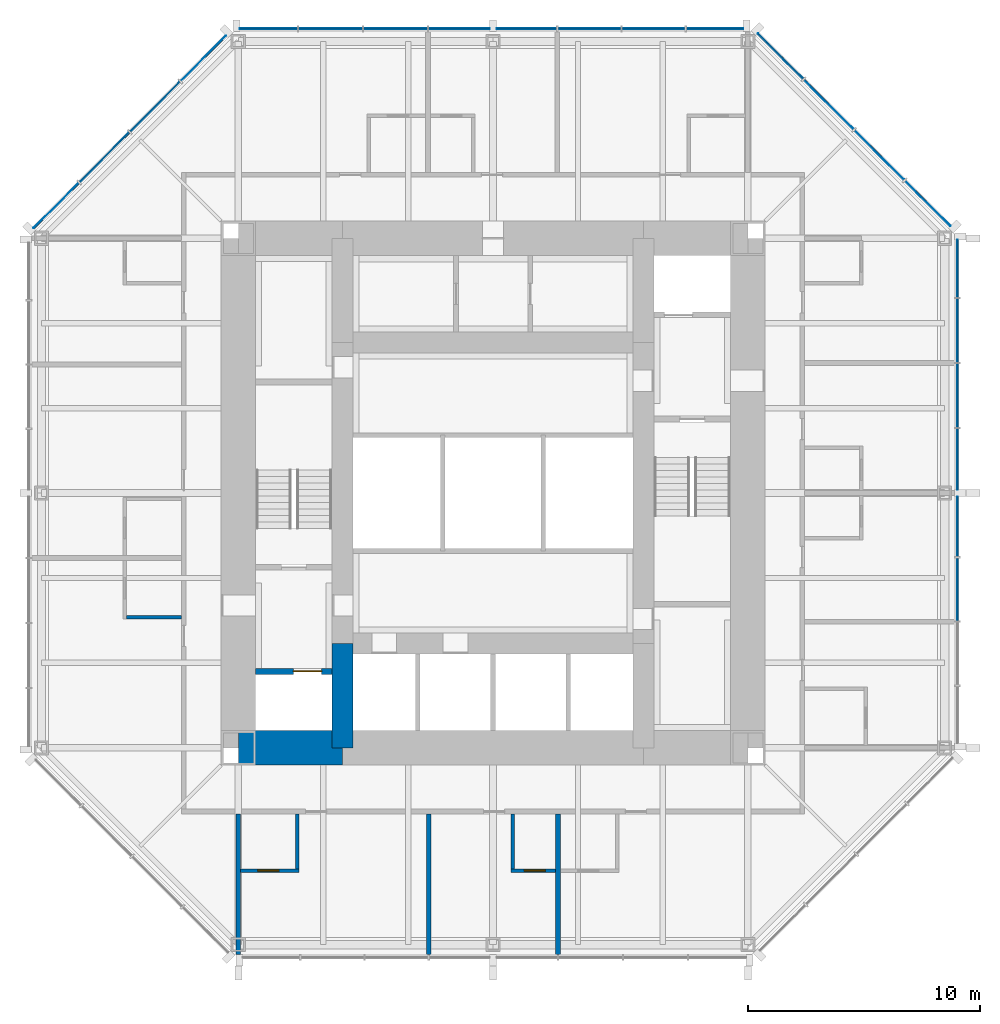
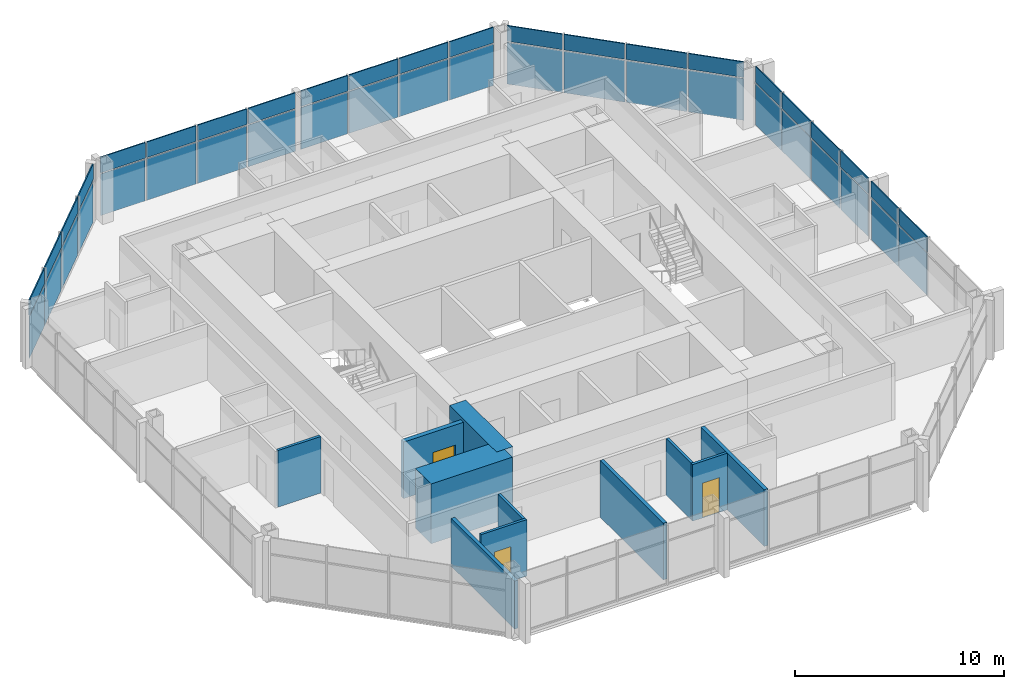
# One storey, part 7 of 11: 44 plates, 11 walls, 3 doors, 3 openings, 4 elements without a shape of their own.
"""IFC4 building model written with IfcOpenShell, lengths in metres."""

from ifc_helpers import new_model, si_unit, direction, frame, frame_2d, origin, origin_2d, place, context, subcontext, project, spatial, rectangle, extrude, material, layer, layer_set, type_object, element, fill, aggregate, save


model = new_model("IFC4")

# Units and contexts
model_context = context("Model", 3, precision=1e-05, world=origin(), true_north=direction((0.0, 1.0)))
body_context = subcontext(model_context, "Body", "Model", "MODEL_VIEW")
ifc_project = project(units=[si_unit("LENGTHUNIT", "METRE"), si_unit("AREAUNIT", "SQUARE_METRE"), si_unit("VOLUMEUNIT", "CUBIC_METRE"), si_unit("PLANEANGLEUNIT", "RADIAN"), si_unit("MASSUNIT", "GRAM", prefix="KILO")], contexts=[model_context])

# Site, building, storey
site_placement = place(None, origin())
site = spatial("IfcSite", under=ifc_project, at=site_placement, CompositionType="ELEMENT")
building_placement = place(site_placement, origin())
building = spatial("IfcBuilding", under=site, at=building_placement, Name="Trevanion Tower", CompositionType="ELEMENT")
storey_placement = place(building_placement, frame((0.0, 0.0, 218.699951171875)))
storey = spatial("IfcBuildingStorey", under=building, at=storey_placement, Name="L52", CompositionType="ELEMENT", Elevation=218.699951171875)

# Curtain wall, plates
ifc_material_1 = material(Name="Aluminium and glass", Category="aluminium")
curtain_wall_type = type_object("IfcCurtainWallType", Name="CW3 curtain wall", PredefinedType="USERDEFINED", material=ifc_material_1)
curtain_wall_1_placement = place(storey_placement, origin())
curtain_wall_1 = element("IfcCurtainWall", 1, at=curtain_wall_1_placement, inside=storey, type_object=curtain_wall_type, Name="CW3 L52 0", ObjectType="UNITISED CURTAIN WALL", PredefinedType="USERDEFINED")
ifc_material_2 = material(Name="Aluminium spandrel panel", Category="aluminium")
ifc_layer_1 = layer(ifc_material_2, 0.06005859375)
ifc_layer_set_1 = layer_set([ifc_layer_1], Name="CW3 spandrel panel")
plate_type_1 = type_object("IfcPlateType", Name="CW3 spandrel panel", PredefinedType="CURTAIN_PANEL", material=ifc_layer_set_1)
plate_1_placement = place(storey_placement, frame((20.050048828125, -4.16162109375, 2.3974609375), z_axis=(0.0, 0.0, 1.0), x_axis=(0.0, 1.0, 0.0)))
plate_1 = element("IfcPlate", 2, at=plate_1_placement, type_object=plate_type_1, Name="CW3 panel 3.2", PredefinedType="CURTAIN_PANEL", context=body_context, shape_type="SweptSolid", body=[
    extrude(rectangle(XDim=2.699462890625, YDim=0.06005859375, at=origin_2d()), origin(), (0.0, 0.0, 1.0), 0.91259765625),
])
plate_2_placement = place(storey_placement, frame((20.050048828125, -1.443603515625, 2.3974609375), z_axis=(0.0, 0.0, 1.0), x_axis=(0.0, 1.0, 0.0)))
plate_2 = element("IfcPlate", 3, at=plate_2_placement, type_object=plate_type_1, Name="CW3 panel 4.2", PredefinedType="CURTAIN_PANEL", context=body_context, shape_type="SweptSolid", body=[
    extrude(rectangle(XDim=2.5869140625, YDim=0.06005859375, at=origin_2d()), origin(), (0.0, 0.0, 1.0), 0.91259765625),
])
plate_3_placement = place(storey_placement, frame((20.050048828125, 1.459716796875, 2.3974609375), z_axis=(0.0, 0.0, 1.0), x_axis=(0.0, 1.0, 0.0)))
plate_3 = element("IfcPlate", 4, at=plate_3_placement, type_object=plate_type_1, Name="CW3 panel 5.2", PredefinedType="CURTAIN_PANEL", context=body_context, shape_type="SweptSolid", body=[
    extrude(rectangle(XDim=2.619384765625, YDim=0.06005859375, at=origin_2d()), origin(), (0.0, 0.0, 1.0), 0.91259765625),
])
plate_4_placement = place(storey_placement, frame((20.050048828125, 4.21044921875, 2.3974609375), z_axis=(0.0, 0.0, 1.0), x_axis=(0.0, 1.0, 0.0)))
plate_4 = element("IfcPlate", 5, at=plate_4_placement, type_object=plate_type_1, Name="CW3 panel 6.2", PredefinedType="CURTAIN_PANEL", context=body_context, shape_type="SweptSolid", body=[
    extrude(rectangle(XDim=2.73193359375, YDim=0.06005859375, at=origin_2d()), origin(), (0.0, 0.0, 1.0), 0.91259765625),
])
plate_5_placement = place(storey_placement, frame((20.050048828125, 7.017333984375, 2.3974609375), z_axis=(0.0, 0.0, 1.0), x_axis=(0.0, 1.0, 0.0)))
plate_5 = element("IfcPlate", 6, at=plate_5_placement, type_object=plate_type_1, Name="CW3 panel 7.2", PredefinedType="CURTAIN_PANEL", context=body_context, shape_type="SweptSolid", body=[
    extrude(rectangle(XDim=2.73193359375, YDim=0.06005859375, at=origin_2d()), origin(), (0.0, 0.0, 1.0), 0.91259765625),
])
plate_6_placement = place(storey_placement, frame((20.050048828125, 9.693115234375, 2.3974609375), z_axis=(0.0, 0.0, 1.0), x_axis=(0.0, 1.0, 0.0)))
plate_6 = element("IfcPlate", 7, at=plate_6_placement, type_object=plate_type_1, Name="CW3 panel 8.2", PredefinedType="CURTAIN_PANEL", context=body_context, shape_type="SweptSolid", body=[
    extrude(rectangle(XDim=2.469482421875, YDim=0.06005859375, at=origin_2d()), origin(), (0.0, 0.0, 1.0), 0.91259765625),
])

curtain_wall_2_placement = place(storey_placement, origin())
curtain_wall_2 = element("IfcCurtainWall", 8, at=curtain_wall_2_placement, inside=storey, type_object=curtain_wall_type, Name="CW3 L52 1", ObjectType="UNITISED CURTAIN WALL", PredefinedType="USERDEFINED")
plate_7_placement = place(storey_placement, frame((18.77392578125, 12.50390625, 2.3974609375), z_axis=(0.0, 0.0, 1.0), x_axis=(-0.707106781187, 0.707106781187, 0.0)))
plate_7 = element("IfcPlate", 9, at=plate_7_placement, type_object=plate_type_1, Name="CW3 panel 1.2", PredefinedType="CURTAIN_PANEL", context=body_context, shape_type="SweptSolid", body=[
    extrude(rectangle(XDim=2.7490234375, YDim=0.06005859375, at=origin_2d()), origin(), (0.0, 0.0, 1.0), 0.91259765625),
])
plate_8_placement = place(storey_placement, frame((16.68408203125, 14.593505859375, 2.3974609375), z_axis=(0.0, 0.0, 1.0), x_axis=(-0.707106781187, 0.707106781187, 0.0)))
plate_8 = element("IfcPlate", 10, at=plate_8_placement, type_object=plate_type_1, Name="CW3 panel 2.2", PredefinedType="CURTAIN_PANEL", context=body_context, shape_type="SweptSolid", body=[
    extrude(rectangle(XDim=3.01171875, YDim=0.06005859375, at=origin_2d()), origin(), (0.0, 0.0, 1.0), 0.91259765625),
])
plate_9_placement = place(storey_placement, frame((14.501708984375, 16.776123046875, 2.3974609375), z_axis=(0.0, 0.0, 1.0), x_axis=(-0.707106781187, 0.707106781187, 0.0)))
plate_9 = element("IfcPlate", 11, at=plate_9_placement, type_object=plate_type_1, Name="CW3 panel 3.2", PredefinedType="CURTAIN_PANEL", context=body_context, shape_type="SweptSolid", body=[
    extrude(rectangle(XDim=3.01171875, YDim=0.06005859375, at=origin_2d()), origin(), (0.0, 0.0, 1.0), 0.91259765625),
])
plate_10_placement = place(storey_placement, frame((12.411865234375, 18.865966796875, 2.3974609375), z_axis=(0.0, 0.0, 1.0), x_axis=(-0.707106781187, 0.707106781187, 0.0)))
plate_10 = element("IfcPlate", 12, at=plate_10_placement, type_object=plate_type_1, Name="CW3 panel 4.2", PredefinedType="CURTAIN_PANEL", context=body_context, shape_type="SweptSolid", body=[
    extrude(rectangle(XDim=2.7490234375, YDim=0.06005859375, at=origin_2d()), origin(), (0.0, 0.0, 1.0), 0.91259765625),
])

curtain_wall_3_placement = place(storey_placement, origin())
curtain_wall_3 = element("IfcCurtainWall", 13, at=curtain_wall_3_placement, inside=storey, type_object=curtain_wall_type, Name="CW3 L52 2", ObjectType="UNITISED CURTAIN WALL", PredefinedType="USERDEFINED")
plate_11_placement = place(storey_placement, frame((9.579345703125, 20.050048828125, 2.3974609375), z_axis=(0.0, 0.0, 1.0), x_axis=(-1.0, 0.0, 0.0)))
plate_11 = element("IfcPlate", 14, at=plate_11_placement, type_object=plate_type_1, Name="CW3 panel 1.2", PredefinedType="CURTAIN_PANEL", context=body_context, shape_type="SweptSolid", body=[
    extrude(rectangle(XDim=2.43701171875, YDim=0.06005859375, at=origin_2d()), origin(), (0.0, 0.0, 1.0), 0.91259765625),
])
plate_12_placement = place(storey_placement, frame((6.93603515625, 20.050048828125, 2.3974609375), z_axis=(0.0, 0.0, 1.0), x_axis=(-1.0, 0.0, 0.0)))
plate_12 = element("IfcPlate", 15, at=plate_12_placement, type_object=plate_type_1, Name="CW3 panel 2.2", PredefinedType="CURTAIN_PANEL", context=body_context, shape_type="SweptSolid", body=[
    extrude(rectangle(XDim=2.699462890625, YDim=0.06005859375, at=origin_2d()), origin(), (0.0, 0.0, 1.0), 0.91259765625),
])
plate_13_placement = place(storey_placement, frame((4.16162109375, 20.050048828125, 2.3974609375), z_axis=(0.0, 0.0, 1.0), x_axis=(-1.0, 0.0, 0.0)))
plate_13 = element("IfcPlate", 16, at=plate_13_placement, type_object=plate_type_1, Name="CW3 panel 3.2", PredefinedType="CURTAIN_PANEL", context=body_context, shape_type="SweptSolid", body=[
    extrude(rectangle(XDim=2.699462890625, YDim=0.06005859375, at=origin_2d()), origin(), (0.0, 0.0, 1.0), 0.91259765625),
])
plate_14_placement = place(storey_placement, frame((1.443603515625, 20.050048828125, 2.3974609375), z_axis=(0.0, 0.0, 1.0), x_axis=(-1.0, 0.0, 0.0)))
plate_14 = element("IfcPlate", 17, at=plate_14_placement, type_object=plate_type_1, Name="CW3 panel 4.2", PredefinedType="CURTAIN_PANEL", context=body_context, shape_type="SweptSolid", body=[
    extrude(rectangle(XDim=2.5869140625, YDim=0.06005859375, at=origin_2d()), origin(), (0.0, 0.0, 1.0), 0.91259765625),
])
plate_15_placement = place(storey_placement, frame((-1.459716796875, 20.050048828125, 2.3974609375), z_axis=(0.0, 0.0, 1.0), x_axis=(-1.0, 0.0, 0.0)))
plate_15 = element("IfcPlate", 18, at=plate_15_placement, type_object=plate_type_1, Name="CW3 panel 5.2", PredefinedType="CURTAIN_PANEL", context=body_context, shape_type="SweptSolid", body=[
    extrude(rectangle(XDim=2.619384765625, YDim=0.06005859375, at=origin_2d()), origin(), (0.0, 0.0, 1.0), 0.91259765625),
])
plate_16_placement = place(storey_placement, frame((-4.21044921875, 20.050048828125, 2.3974609375), z_axis=(0.0, 0.0, 1.0), x_axis=(-1.0, 0.0, 0.0)))
plate_16 = element("IfcPlate", 19, at=plate_16_placement, type_object=plate_type_1, Name="CW3 panel 6.2", PredefinedType="CURTAIN_PANEL", context=body_context, shape_type="SweptSolid", body=[
    extrude(rectangle(XDim=2.73193359375, YDim=0.06005859375, at=origin_2d()), origin(), (0.0, 0.0, 1.0), 0.91259765625),
])
plate_17_placement = place(storey_placement, frame((-7.017333984375, 20.050048828125, 2.3974609375), z_axis=(0.0, 0.0, 1.0), x_axis=(-1.0, 0.0, 0.0)))
plate_17 = element("IfcPlate", 20, at=plate_17_placement, type_object=plate_type_1, Name="CW3 panel 7.2", PredefinedType="CURTAIN_PANEL", context=body_context, shape_type="SweptSolid", body=[
    extrude(rectangle(XDim=2.73193359375, YDim=0.06005859375, at=origin_2d()), origin(), (0.0, 0.0, 1.0), 0.91259765625),
])
plate_18_placement = place(storey_placement, frame((-9.693115234375, 20.050048828125, 2.3974609375), z_axis=(0.0, 0.0, 1.0), x_axis=(-1.0, 0.0, 0.0)))
plate_18 = element("IfcPlate", 21, at=plate_18_placement, type_object=plate_type_1, Name="CW3 panel 8.2", PredefinedType="CURTAIN_PANEL", context=body_context, shape_type="SweptSolid", body=[
    extrude(rectangle(XDim=2.469482421875, YDim=0.06005859375, at=origin_2d()), origin(), (0.0, 0.0, 1.0), 0.91259765625),
])

curtain_wall_4_placement = place(storey_placement, origin())
curtain_wall_4 = element("IfcCurtainWall", 22, at=curtain_wall_4_placement, inside=storey, type_object=curtain_wall_type, Name="CW3 L52 3", ObjectType="UNITISED CURTAIN WALL", PredefinedType="USERDEFINED")
plate_19_placement = place(storey_placement, frame((-12.50390625, 18.77392578125, 2.3974609375), z_axis=(0.0, 0.0, 1.0), x_axis=(-0.707106781187, -0.707106781187, 0.0)))
plate_19 = element("IfcPlate", 23, at=plate_19_placement, type_object=plate_type_1, Name="CW3 panel 1.2", PredefinedType="CURTAIN_PANEL", context=body_context, shape_type="SweptSolid", body=[
    extrude(rectangle(XDim=2.7490234375, YDim=0.06005859375, at=origin_2d()), origin(), (0.0, 0.0, 1.0), 0.91259765625),
])
plate_20_placement = place(storey_placement, frame((-14.593505859375, 16.68408203125, 2.3974609375), z_axis=(0.0, 0.0, 1.0), x_axis=(-0.707106781187, -0.707106781187, 0.0)))
plate_20 = element("IfcPlate", 24, at=plate_20_placement, type_object=plate_type_1, Name="CW3 panel 2.2", PredefinedType="CURTAIN_PANEL", context=body_context, shape_type="SweptSolid", body=[
    extrude(rectangle(XDim=3.01171875, YDim=0.06005859375, at=origin_2d()), origin(), (0.0, 0.0, 1.0), 0.91259765625),
])
plate_21_placement = place(storey_placement, frame((-16.776123046875, 14.501708984375, 2.3974609375), z_axis=(0.0, 0.0, 1.0), x_axis=(-0.707106781187, -0.707106781187, 0.0)))
plate_21 = element("IfcPlate", 25, at=plate_21_placement, type_object=plate_type_1, Name="CW3 panel 3.2", PredefinedType="CURTAIN_PANEL", context=body_context, shape_type="SweptSolid", body=[
    extrude(rectangle(XDim=3.01171875, YDim=0.06005859375, at=origin_2d()), origin(), (0.0, 0.0, 1.0), 0.91259765625),
])
plate_22_placement = place(storey_placement, frame((-18.865966796875, 12.411865234375, 2.3974609375), z_axis=(0.0, 0.0, 1.0), x_axis=(-0.707106781187, -0.707106781187, 0.0)))
plate_22 = element("IfcPlate", 26, at=plate_22_placement, type_object=plate_type_1, Name="CW3 panel 4.2", PredefinedType="CURTAIN_PANEL", context=body_context, shape_type="SweptSolid", body=[
    extrude(rectangle(XDim=2.7490234375, YDim=0.06005859375, at=origin_2d()), origin(), (0.0, 0.0, 1.0), 0.91259765625),
])

# Plate
ifc_material_3 = material(Name="Insulating glass unit", Category="glass")
ifc_layer_2 = layer(ifc_material_3, 0.028076171875)
ifc_layer_set_2 = layer_set([ifc_layer_2], Name="CW3 vision panel")
plate_type_2 = type_object("IfcPlateType", Name="CW3 vision panel", PredefinedType="CURTAIN_PANEL", material=ifc_layer_set_2)
plate_23_placement = place(storey_placement, frame((20.050048828125, -4.16162109375, -0.114990234375), z_axis=(0.0, 0.0, 1.0), x_axis=(0.0, 1.0, 0.0)))
plate_23 = element("IfcPlate", 27, at=plate_23_placement, type_object=plate_type_2, Name="CW3 panel 3.1", PredefinedType="CURTAIN_PANEL", context=body_context, shape_type="SweptSolid", body=[
    extrude(rectangle(XDim=2.699462890625, YDim=0.028076171875, at=origin_2d()), origin(), (0.0, 0.0, 1.0), 2.4375),
])

plate_24_placement = place(storey_placement, frame((20.050048828125, -1.443603515625, -0.114990234375), z_axis=(0.0, 0.0, 1.0), x_axis=(0.0, 1.0, 0.0)))
plate_24 = element("IfcPlate", 28, at=plate_24_placement, type_object=plate_type_2, Name="CW3 panel 4.1", PredefinedType="CURTAIN_PANEL", context=body_context, shape_type="SweptSolid", body=[
    extrude(rectangle(XDim=2.5869140625, YDim=0.028076171875, at=origin_2d()), origin(), (0.0, 0.0, 1.0), 2.4375),
])

plate_25_placement = place(storey_placement, frame((20.050048828125, 1.459716796875, -0.114990234375), z_axis=(0.0, 0.0, 1.0), x_axis=(0.0, 1.0, 0.0)))
plate_25 = element("IfcPlate", 29, at=plate_25_placement, type_object=plate_type_2, Name="CW3 panel 5.1", PredefinedType="CURTAIN_PANEL", context=body_context, shape_type="SweptSolid", body=[
    extrude(rectangle(XDim=2.619384765625, YDim=0.028076171875, at=origin_2d()), origin(), (0.0, 0.0, 1.0), 2.4375),
])

plate_26_placement = place(storey_placement, frame((20.050048828125, 4.21044921875, -0.114990234375), z_axis=(0.0, 0.0, 1.0), x_axis=(0.0, 1.0, 0.0)))
plate_26 = element("IfcPlate", 30, at=plate_26_placement, type_object=plate_type_2, Name="CW3 panel 6.1", PredefinedType="CURTAIN_PANEL", context=body_context, shape_type="SweptSolid", body=[
    extrude(rectangle(XDim=2.73193359375, YDim=0.028076171875, at=origin_2d()), origin(), (0.0, 0.0, 1.0), 2.4375),
])

plate_27_placement = place(storey_placement, frame((20.050048828125, 7.017333984375, -0.114990234375), z_axis=(0.0, 0.0, 1.0), x_axis=(0.0, 1.0, 0.0)))
plate_27 = element("IfcPlate", 31, at=plate_27_placement, type_object=plate_type_2, Name="CW3 panel 7.1", PredefinedType="CURTAIN_PANEL", context=body_context, shape_type="SweptSolid", body=[
    extrude(rectangle(XDim=2.73193359375, YDim=0.028076171875, at=origin_2d()), origin(), (0.0, 0.0, 1.0), 2.4375),
])

plate_28_placement = place(storey_placement, frame((20.050048828125, 9.693115234375, -0.114990234375), z_axis=(0.0, 0.0, 1.0), x_axis=(0.0, 1.0, 0.0)))
plate_28 = element("IfcPlate", 32, at=plate_28_placement, type_object=plate_type_2, Name="CW3 panel 8.1", PredefinedType="CURTAIN_PANEL", context=body_context, shape_type="SweptSolid", body=[
    extrude(rectangle(XDim=2.469482421875, YDim=0.028076171875, at=origin_2d()), origin(), (0.0, 0.0, 1.0), 2.4375),
])

aggregate(curtain_wall_1, [plate_23, plate_1, plate_24, plate_2, plate_25, plate_3, plate_26, plate_4, plate_27, plate_5, plate_28, plate_6])

plate_29_placement = place(storey_placement, frame((18.77392578125, 12.50390625, -0.114990234375), z_axis=(0.0, 0.0, 1.0), x_axis=(-0.707106781187, 0.707106781187, 0.0)))
plate_29 = element("IfcPlate", 33, at=plate_29_placement, type_object=plate_type_2, Name="CW3 panel 1.1", PredefinedType="CURTAIN_PANEL", context=body_context, shape_type="SweptSolid", body=[
    extrude(rectangle(XDim=2.7490234375, YDim=0.028076171875, at=origin_2d()), origin(), (0.0, 0.0, 1.0), 2.4375),
])

plate_30_placement = place(storey_placement, frame((16.68408203125, 14.593505859375, -0.114990234375), z_axis=(0.0, 0.0, 1.0), x_axis=(-0.707106781187, 0.707106781187, 0.0)))
plate_30 = element("IfcPlate", 34, at=plate_30_placement, type_object=plate_type_2, Name="CW3 panel 2.1", PredefinedType="CURTAIN_PANEL", context=body_context, shape_type="SweptSolid", body=[
    extrude(rectangle(XDim=3.01171875, YDim=0.028076171875, at=origin_2d()), origin(), (0.0, 0.0, 1.0), 2.4375),
])

plate_31_placement = place(storey_placement, frame((14.501708984375, 16.776123046875, -0.114990234375), z_axis=(0.0, 0.0, 1.0), x_axis=(-0.707106781187, 0.707106781187, 0.0)))
plate_31 = element("IfcPlate", 35, at=plate_31_placement, type_object=plate_type_2, Name="CW3 panel 3.1", PredefinedType="CURTAIN_PANEL", context=body_context, shape_type="SweptSolid", body=[
    extrude(rectangle(XDim=3.01171875, YDim=0.028076171875, at=origin_2d()), origin(), (0.0, 0.0, 1.0), 2.4375),
])

plate_32_placement = place(storey_placement, frame((12.411865234375, 18.865966796875, -0.114990234375), z_axis=(0.0, 0.0, 1.0), x_axis=(-0.707106781187, 0.707106781187, 0.0)))
plate_32 = element("IfcPlate", 36, at=plate_32_placement, type_object=plate_type_2, Name="CW3 panel 4.1", PredefinedType="CURTAIN_PANEL", context=body_context, shape_type="SweptSolid", body=[
    extrude(rectangle(XDim=2.7490234375, YDim=0.028076171875, at=origin_2d()), origin(), (0.0, 0.0, 1.0), 2.4375),
])

aggregate(curtain_wall_2, [plate_29, plate_7, plate_30, plate_8, plate_31, plate_9, plate_32, plate_10])

plate_33_placement = place(storey_placement, frame((9.579345703125, 20.050048828125, -0.114990234375), z_axis=(0.0, 0.0, 1.0), x_axis=(-1.0, 0.0, 0.0)))
plate_33 = element("IfcPlate", 37, at=plate_33_placement, type_object=plate_type_2, Name="CW3 panel 1.1", PredefinedType="CURTAIN_PANEL", context=body_context, shape_type="SweptSolid", body=[
    extrude(rectangle(XDim=2.43701171875, YDim=0.028076171875, at=origin_2d()), origin(), (0.0, 0.0, 1.0), 2.4375),
])

plate_34_placement = place(storey_placement, frame((6.93603515625, 20.050048828125, -0.114990234375), z_axis=(0.0, 0.0, 1.0), x_axis=(-1.0, 0.0, 0.0)))
plate_34 = element("IfcPlate", 38, at=plate_34_placement, type_object=plate_type_2, Name="CW3 panel 2.1", PredefinedType="CURTAIN_PANEL", context=body_context, shape_type="SweptSolid", body=[
    extrude(rectangle(XDim=2.699462890625, YDim=0.028076171875, at=origin_2d()), origin(), (0.0, 0.0, 1.0), 2.4375),
])

plate_35_placement = place(storey_placement, frame((4.16162109375, 20.050048828125, -0.114990234375), z_axis=(0.0, 0.0, 1.0), x_axis=(-1.0, 0.0, 0.0)))
plate_35 = element("IfcPlate", 39, at=plate_35_placement, type_object=plate_type_2, Name="CW3 panel 3.1", PredefinedType="CURTAIN_PANEL", context=body_context, shape_type="SweptSolid", body=[
    extrude(rectangle(XDim=2.699462890625, YDim=0.028076171875, at=origin_2d()), origin(), (0.0, 0.0, 1.0), 2.4375),
])

plate_36_placement = place(storey_placement, frame((1.443603515625, 20.050048828125, -0.114990234375), z_axis=(0.0, 0.0, 1.0), x_axis=(-1.0, 0.0, 0.0)))
plate_36 = element("IfcPlate", 40, at=plate_36_placement, type_object=plate_type_2, Name="CW3 panel 4.1", PredefinedType="CURTAIN_PANEL", context=body_context, shape_type="SweptSolid", body=[
    extrude(rectangle(XDim=2.5869140625, YDim=0.028076171875, at=origin_2d()), origin(), (0.0, 0.0, 1.0), 2.4375),
])

plate_37_placement = place(storey_placement, frame((-1.459716796875, 20.050048828125, -0.114990234375), z_axis=(0.0, 0.0, 1.0), x_axis=(-1.0, 0.0, 0.0)))
plate_37 = element("IfcPlate", 41, at=plate_37_placement, type_object=plate_type_2, Name="CW3 panel 5.1", PredefinedType="CURTAIN_PANEL", context=body_context, shape_type="SweptSolid", body=[
    extrude(rectangle(XDim=2.619384765625, YDim=0.028076171875, at=origin_2d()), origin(), (0.0, 0.0, 1.0), 2.4375),
])

plate_38_placement = place(storey_placement, frame((-4.21044921875, 20.050048828125, -0.114990234375), z_axis=(0.0, 0.0, 1.0), x_axis=(-1.0, 0.0, 0.0)))
plate_38 = element("IfcPlate", 42, at=plate_38_placement, type_object=plate_type_2, Name="CW3 panel 6.1", PredefinedType="CURTAIN_PANEL", context=body_context, shape_type="SweptSolid", body=[
    extrude(rectangle(XDim=2.73193359375, YDim=0.028076171875, at=origin_2d()), origin(), (0.0, 0.0, 1.0), 2.4375),
])

plate_39_placement = place(storey_placement, frame((-7.017333984375, 20.050048828125, -0.114990234375), z_axis=(0.0, 0.0, 1.0), x_axis=(-1.0, 0.0, 0.0)))
plate_39 = element("IfcPlate", 43, at=plate_39_placement, type_object=plate_type_2, Name="CW3 panel 7.1", PredefinedType="CURTAIN_PANEL", context=body_context, shape_type="SweptSolid", body=[
    extrude(rectangle(XDim=2.73193359375, YDim=0.028076171875, at=origin_2d()), origin(), (0.0, 0.0, 1.0), 2.4375),
])

plate_40_placement = place(storey_placement, frame((-9.693115234375, 20.050048828125, -0.114990234375), z_axis=(0.0, 0.0, 1.0), x_axis=(-1.0, 0.0, 0.0)))
plate_40 = element("IfcPlate", 44, at=plate_40_placement, type_object=plate_type_2, Name="CW3 panel 8.1", PredefinedType="CURTAIN_PANEL", context=body_context, shape_type="SweptSolid", body=[
    extrude(rectangle(XDim=2.469482421875, YDim=0.028076171875, at=origin_2d()), origin(), (0.0, 0.0, 1.0), 2.4375),
])

aggregate(curtain_wall_3, [plate_33, plate_11, plate_34, plate_12, plate_35, plate_13, plate_36, plate_14, plate_37, plate_15, plate_38, plate_16, plate_39, plate_17, plate_40, plate_18])

plate_41_placement = place(storey_placement, frame((-12.50390625, 18.77392578125, -0.114990234375), z_axis=(0.0, 0.0, 1.0), x_axis=(-0.707106781187, -0.707106781187, 0.0)))
plate_41 = element("IfcPlate", 45, at=plate_41_placement, type_object=plate_type_2, Name="CW3 panel 1.1", PredefinedType="CURTAIN_PANEL", context=body_context, shape_type="SweptSolid", body=[
    extrude(rectangle(XDim=2.7490234375, YDim=0.028076171875, at=origin_2d()), origin(), (0.0, 0.0, 1.0), 2.4375),
])

plate_42_placement = place(storey_placement, frame((-14.593505859375, 16.68408203125, -0.114990234375), z_axis=(0.0, 0.0, 1.0), x_axis=(-0.707106781187, -0.707106781187, 0.0)))
plate_42 = element("IfcPlate", 46, at=plate_42_placement, type_object=plate_type_2, Name="CW3 panel 2.1", PredefinedType="CURTAIN_PANEL", context=body_context, shape_type="SweptSolid", body=[
    extrude(rectangle(XDim=3.01171875, YDim=0.028076171875, at=origin_2d()), origin(), (0.0, 0.0, 1.0), 2.4375),
])

plate_43_placement = place(storey_placement, frame((-16.776123046875, 14.501708984375, -0.114990234375), z_axis=(0.0, 0.0, 1.0), x_axis=(-0.707106781187, -0.707106781187, 0.0)))
plate_43 = element("IfcPlate", 47, at=plate_43_placement, type_object=plate_type_2, Name="CW3 panel 3.1", PredefinedType="CURTAIN_PANEL", context=body_context, shape_type="SweptSolid", body=[
    extrude(rectangle(XDim=3.01171875, YDim=0.028076171875, at=origin_2d()), origin(), (0.0, 0.0, 1.0), 2.4375),
])

plate_44_placement = place(storey_placement, frame((-18.865966796875, 12.411865234375, -0.114990234375), z_axis=(0.0, 0.0, 1.0), x_axis=(-0.707106781187, -0.707106781187, 0.0)))
plate_44 = element("IfcPlate", 48, at=plate_44_placement, type_object=plate_type_2, Name="CW3 panel 4.1", PredefinedType="CURTAIN_PANEL", context=body_context, shape_type="SweptSolid", body=[
    extrude(rectangle(XDim=2.7490234375, YDim=0.028076171875, at=origin_2d()), origin(), (0.0, 0.0, 1.0), 2.4375),
])

aggregate(curtain_wall_4, [plate_41, plate_19, plate_42, plate_20, plate_43, plate_21, plate_44, plate_22])

# Walls
ifc_material_4 = material(Name="Concrete 10,000 psi", Category="concrete")
ifc_layer_3 = layer(ifc_material_4, 1.5)
ifc_layer_set_3 = layer_set([ifc_layer_3], Name="CW1 core wall 1500")
wall_type_1 = type_object("IfcWallType", Name="CW1 core wall 1500", PredefinedType="SHEAR", material=ifc_layer_set_3)
wall_1_placement = place(storey_placement, frame((-11.0, -11.0, 0.0), z_axis=(0.0, 0.0, 1.0), x_axis=(1.0, 0.0, 0.0)))
element("IfcWall", 49, at=wall_1_placement, inside=storey, type_object=wall_type_1, Name="CW1 CS1 L52", PredefinedType="SHEAR", context=body_context, shape_type="SweptSolid", body=[
    extrude(rectangle(XDim=4.5, YDim=1.5, at=frame_2d((2.25, 0.0))), origin(), (0.0, 0.0, 1.0), 3.5),
])
ifc_material_5 = material(Name="Concrete 10,000 psi", Category="concrete")
ifc_layer_4 = layer(ifc_material_5, 0.89990234375)
ifc_layer_set_4 = layer_set([ifc_layer_4], Name="CW2 core wall 900")
wall_type_2 = type_object("IfcWallType", Name="CW2 core wall 900", PredefinedType="SHEAR", material=ifc_layer_set_4)
wall_2_placement = place(storey_placement, frame((-6.5, -6.5, 0.0), z_axis=(0.0, 0.0, 1.0), x_axis=(0.0, -1.0, 0.0)))
element("IfcWall", 50, at=wall_2_placement, inside=storey, type_object=wall_type_2, Name="CW2 RW3 L52", PredefinedType="SHEAR", context=body_context, shape_type="SweptSolid", body=[
    extrude(rectangle(XDim=4.5, YDim=0.89990234375, at=frame_2d((2.25, 0.0))), origin(), (0.0, 0.0, 1.0), 3.5),
])
ifc_material_6 = material(Name="Gypsum board on steel studs", Category="steel")
ifc_layer_5 = layer(ifc_material_6, 0.14990234375)
ifc_layer_set_5 = layer_set([ifc_layer_5], Name="PT1 partition 150")
wall_type_3 = type_object("IfcWallType", Name="PT1 partition 150", PredefinedType="PARTITIONING", material=ifc_layer_set_5)
wall_3_placement = place(storey_placement, frame((-13.449951171875, -5.35693359375, 0.0), z_axis=(0.0, 0.0, 1.0), x_axis=(-1.0, 0.0, 0.0)))
element("IfcWall", 51, at=wall_3_placement, inside=storey, type_object=wall_type_3, Name="PT1 L52 BB22", PredefinedType="PARTITIONING", context=body_context, shape_type="SweptSolid", body=[
    extrude(rectangle(XDim=2.375, YDim=0.14990234375, at=frame_2d((1.1875, 0.0))), origin(), (0.0, 0.0, 1.0), 3.31005859375),
])

# Wall, opening, door
wall_4_placement = place(storey_placement, frame((-10.89990234375, -16.300048828125, 0.0), z_axis=(0.0, 0.0, 1.0), x_axis=(1.0, 0.0, 0.0)))
wall_4 = element("IfcWall", 52, at=wall_4_placement, inside=storey, type_object=wall_type_3, Name="PT1 L52 BA30", PredefinedType="PARTITIONING", context=body_context, shape_type="SweptSolid", body=[
    extrude(rectangle(XDim=2.52490234375, YDim=0.14990234375, at=frame_2d((1.262451171875, 0.0))), origin(), (0.0, 0.0, 1.0), 3.31005859375),
])
opening_1_placement = place(wall_4_placement, frame((0.742431640625, 0.0, 0.0)))
opening_1 = element("IfcOpeningElement", 53, at=opening_1_placement, cuts=wall_4, Name="Opening 52-036", PredefinedType="OPENING", context=body_context, shape_type="SweptSolid", body=[
    extrude(rectangle(XDim=0.9150390625, YDim=2.031982421875, at=frame_2d((0.45751953125, 1.01611328125))), frame((0.0, 0.0849609375, 0.0), z_axis=(0.0, -1.0, 0.0), x_axis=(1.0, 0.0, 0.0)), (0.0, 0.0, 1.0), 0.169921875),
])
ifc_material_7 = material(Name="Timber veneer", Category="wood")
door_type_1 = type_object("IfcDoorType", Name="D7 bathroom door", OperationType="SINGLE_SWING_LEFT", PredefinedType="DOOR", material=ifc_material_7)
door_1_placement = place(opening_1_placement, origin())
door_1 = element("IfcDoor", 54, at=door_1_placement, inside=storey, type_object=door_type_1, Name="Door 52-036", OperationType="SINGLE_SWING_LEFT", OverallHeight=2.031982421875, OverallWidth=0.9150390625, PredefinedType="DOOR", context=body_context, shape_type="SweptSolid", body=[
    extrude(rectangle(XDim=0.9150390625, YDim=2.031982421875, at=frame_2d((0.45751953125, 1.01611328125))), frame((0.0, 0.02490234375, 0.0), z_axis=(0.0, -1.0, 0.0), x_axis=(1.0, 0.0, 0.0)), (0.0, 0.0, 1.0), 0.050048828125),
])
fill(opening_1, door_1)

# Wall
wall_5_placement = place(storey_placement, frame((-8.449951171875, -13.85009765625, 0.0), z_axis=(0.0, 0.0, 1.0), x_axis=(0.0, -1.0, 0.0)))
element("IfcWall", 55, at=wall_5_placement, inside=storey, type_object=wall_type_3, Name="PT1 L52 BB30", PredefinedType="PARTITIONING", context=body_context, shape_type="SweptSolid", body=[
    extrude(rectangle(XDim=2.375, YDim=0.14990234375, at=frame_2d((1.1875, 0.0))), origin(), (0.0, 0.0, 1.0), 3.31005859375),
])

# Wall, opening, door
wall_6_placement = place(storey_placement, frame((0.781982421875, -16.300048828125, 0.0), z_axis=(0.0, 0.0, 1.0), x_axis=(1.0, 0.0, 0.0)))
wall_6 = element("IfcWall", 56, at=wall_6_placement, inside=storey, type_object=wall_type_3, Name="PT1 L52 BA31", PredefinedType="PARTITIONING", context=body_context, shape_type="SweptSolid", body=[
    extrude(rectangle(XDim=1.925048828125, YDim=0.14990234375, at=frame_2d((0.96240234375, 0.0))), origin(), (0.0, 0.0, 1.0), 3.31005859375),
])
opening_2_placement = place(wall_6_placement, frame((0.5673828125, 0.0, 0.0)))
opening_2 = element("IfcOpeningElement", 57, at=opening_2_placement, cuts=wall_6, Name="Opening 52-038", PredefinedType="OPENING", context=body_context, shape_type="SweptSolid", body=[
    extrude(rectangle(XDim=0.9150390625, YDim=2.031982421875, at=frame_2d((0.45751953125, 1.01611328125))), frame((0.0, 0.0849609375, 0.0), z_axis=(0.0, -1.0, 0.0), x_axis=(1.0, 0.0, 0.0)), (0.0, 0.0, 1.0), 0.169921875),
])
door_2_placement = place(opening_2_placement, origin())
door_2 = element("IfcDoor", 58, at=door_2_placement, inside=storey, type_object=door_type_1, Name="Door 52-038", OperationType="SINGLE_SWING_LEFT", OverallHeight=2.031982421875, OverallWidth=0.9150390625, PredefinedType="DOOR", context=body_context, shape_type="SweptSolid", body=[
    extrude(rectangle(XDim=0.9150390625, YDim=2.031982421875, at=frame_2d((0.45751953125, 1.01611328125))), frame((0.0, 0.02490234375, 0.0), z_axis=(0.0, -1.0, 0.0), x_axis=(1.0, 0.0, 0.0)), (0.0, 0.0, 1.0), 0.050048828125),
])
fill(opening_2, door_2)

# Walls
wall_7_placement = place(storey_placement, frame((0.85693359375, -13.85009765625, 0.0), z_axis=(0.0, 0.0, 1.0), x_axis=(0.0, -1.0, 0.0)))
element("IfcWall", 59, at=wall_7_placement, inside=storey, type_object=wall_type_3, Name="PT1 L52 BB31", PredefinedType="PARTITIONING", context=body_context, shape_type="SweptSolid", body=[
    extrude(rectangle(XDim=2.375, YDim=0.14990234375, at=frame_2d((1.1875, 0.0))), origin(), (0.0, 0.0, 1.0), 3.31005859375),
])
ifc_material_8 = material(Name="Concrete masonry, grouted", Category="masonry")
ifc_layer_6 = layer(ifc_material_8, 0.199951171875)
ifc_layer_set_6 = layer_set([ifc_layer_6], Name="PT2 partition 200 1 HR")
wall_type_4 = type_object("IfcWallType", Name="PT2 partition 200 1 HR", PredefinedType="PARTITIONING", material=ifc_layer_set_6)
wall_8_placement = place(storey_placement, frame((-11.0, -13.85009765625, 0.0), z_axis=(0.0, 0.0, 1.0), x_axis=(0.0, -1.0, 0.0)))
element("IfcWall", 60, at=wall_8_placement, inside=storey, type_object=wall_type_4, Name="PT2 L52 HD30", PredefinedType="PARTITIONING", context=body_context, shape_type="SweptSolid", body=[
    extrude(rectangle(XDim=6.06494140625, YDim=0.199951171875, at=frame_2d((3.032470703125, 0.0))), origin(), (0.0, 0.0, 1.0), 2.802001953125),
])
for number, where, z_axis, x_axis, name in (
    (61, (-2.77490234375, -13.85009765625, 0.0), (0.0, 0.0, 1.0), (0.0, -1.0, 0.0), "PT2 L52 HD31"),
    (62, (2.806884765625, -13.85009765625, 0.0), (0.0, 0.0, 1.0), (0.0, -1.0, 0.0), "PT2 L52 HD32"),
):
    element("IfcWall", number, at=place(storey_placement, frame(where, z_axis=z_axis, x_axis=x_axis)), inside=storey, type_object=wall_type_4, Name=name, PredefinedType="PARTITIONING", context=body_context, shape_type="SweptSolid", body=[
        extrude(rectangle(XDim=6.06494140625, YDim=0.199951171875, at=frame_2d((3.032470703125, 0.0))), origin(), (0.0, 0.0, 1.0), 3.31005859375),
    ])

# Wall, opening, door
ifc_material_9 = material(Name="Concrete masonry, grouted, two-hour", Category="masonry")
ifc_layer_7 = layer(ifc_material_9, 0.25)
ifc_layer_set_7 = layer_set([ifc_layer_7], Name="PT3 partition 250 2 HR")
wall_type_5 = type_object("IfcWallType", Name="PT3 partition 250 2 HR", PredefinedType="PARTITIONING", material=ifc_layer_set_7)
wall_9_placement = place(storey_placement, frame((-6.949951171875, -7.699951171875, 0.0), z_axis=(0.0, 0.0, 1.0), x_axis=(-1.0, 0.0, 0.0)))
wall_9 = element("IfcWall", 63, at=wall_9_placement, inside=storey, type_object=wall_type_5, Name="PT3 L52 WP3", PredefinedType="PARTITIONING", context=body_context, shape_type="SweptSolid", body=[
    extrude(rectangle(XDim=3.300048828125, YDim=0.25, at=frame_2d((1.64990234375, 0.0))), origin(), (0.0, 0.0, 1.0), 3.31005859375),
])
opening_3_placement = place(wall_9_placement, frame((0.449951171875, 0.0, 0.0)))
opening_3 = element("IfcOpeningElement", 64, at=opening_3_placement, cuts=wall_9, Name="Opening 52-008", PredefinedType="OPENING", context=body_context, shape_type="SweptSolid", body=[
    extrude(rectangle(XDim=1.218994140625, YDim=2.134033203125, at=frame_2d((0.609375, 1.06689453125))), frame((0.0, 0.135009765625, 0.0), z_axis=(0.0, -1.0, 0.0), x_axis=(1.0, 0.0, 0.0)), (0.0, 0.0, 1.0), 0.27001953125),
])
ifc_material_10 = material(Name="Stainless steel, fire rated", Category="steel")
door_type_2 = type_object("IfcDoorType", Name="LD2 fire service lift landing door", OperationType="SLIDING_TO_LEFT", PredefinedType="DOOR", material=ifc_material_10)
door_3_placement = place(opening_3_placement, origin())
door_3 = element("IfcDoor", 65, at=door_3_placement, inside=storey, type_object=door_type_2, Name="Door 52-008", OperationType="SLIDING_TO_LEFT", OverallHeight=2.134033203125, OverallWidth=1.218994140625, PredefinedType="DOOR", context=body_context, shape_type="SweptSolid", body=[
    extrude(rectangle(XDim=1.218994140625, YDim=2.134033203125, at=frame_2d((0.609375, 1.06689453125))), frame((0.0, 0.02490234375, 0.0), z_axis=(0.0, -1.0, 0.0), x_axis=(1.0, 0.0, 0.0)), (0.0, 0.0, 1.0), 0.050048828125),
])
fill(opening_3, door_3)

save(model, "model.ifc")
